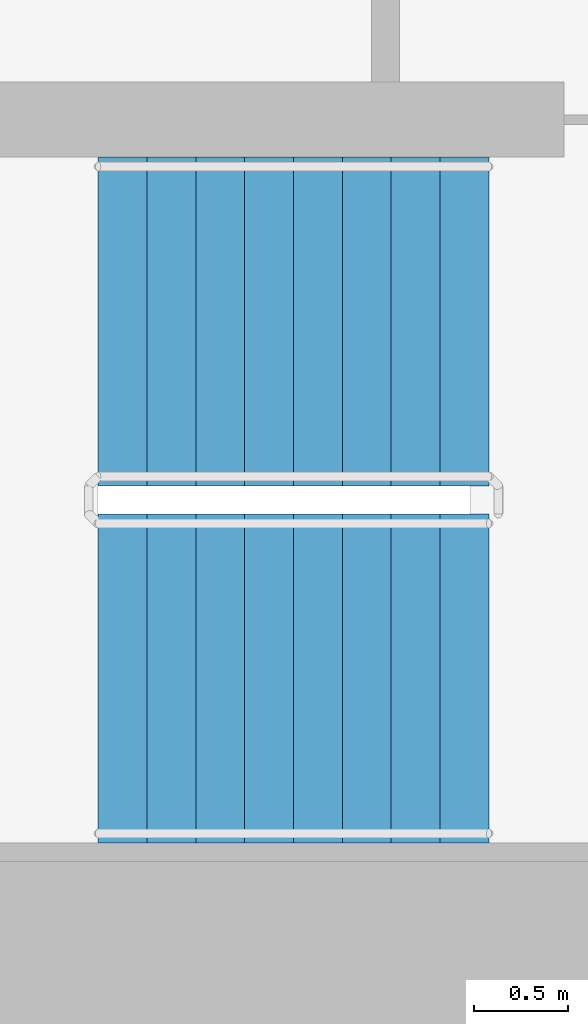
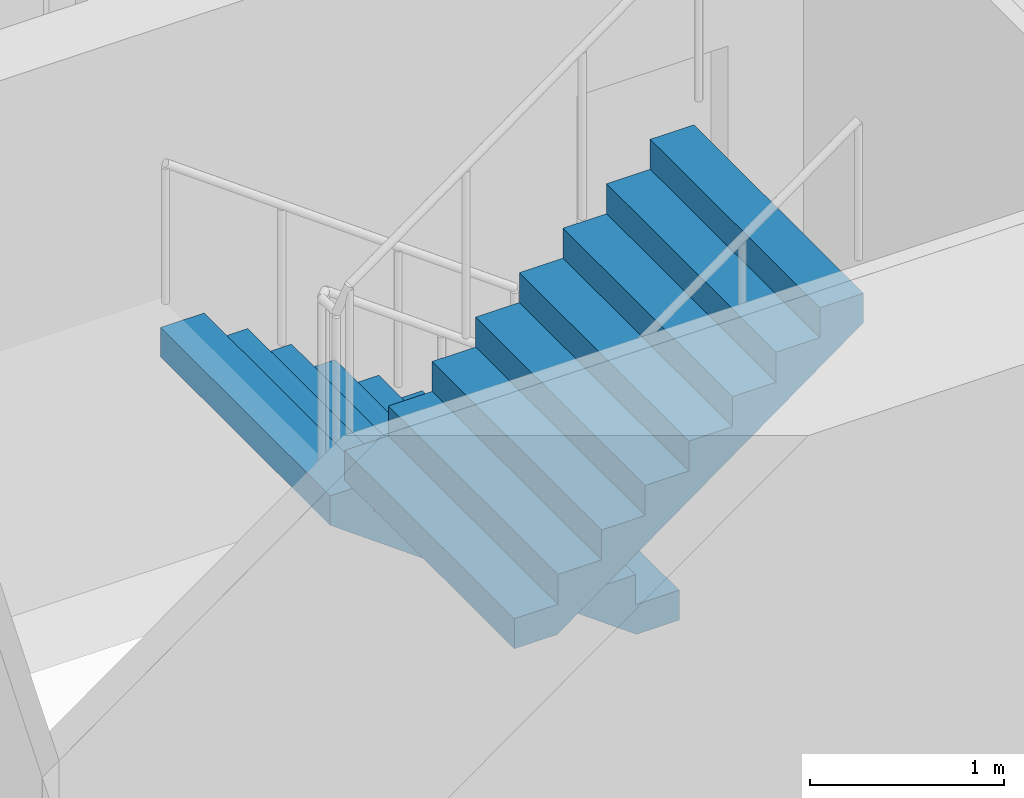
# One storey, part 17 of 22: 2 stair flights, 1 element without a shape of its own.
"""IFC4 building model written with IfcOpenShell, lengths in metres."""

from ifc_helpers import new_model, si_unit, direction, frame, origin, place, context, subcontext, project, spatial, faceted_brep, material, type_object, element, aggregate, save


model = new_model("IFC4")

# Units and contexts
model_context = context("Model", 3, precision=1e-05, world=origin(), true_north=direction((0.0, 1.0)))
body_context = subcontext(model_context, "Body", "Model", "MODEL_VIEW")
ifc_project = project(units=[si_unit("LENGTHUNIT", "METRE"), si_unit("AREAUNIT", "SQUARE_METRE"), si_unit("VOLUMEUNIT", "CUBIC_METRE"), si_unit("PLANEANGLEUNIT", "RADIAN"), si_unit("MASSUNIT", "GRAM", prefix="KILO")], contexts=[model_context])

# Site, building, storey
site_placement = place(None, origin())
site = spatial("IfcSite", under=ifc_project, at=site_placement, CompositionType="ELEMENT")
building_placement = place(site_placement, origin())
building = spatial("IfcBuilding", under=site, at=building_placement, Name="Ipe Terrace Towers", CompositionType="ELEMENT")
storey_placement = place(building_placement, frame((0.0, 0.0, 61.89990234375)))
storey = spatial("IfcBuildingStorey", under=building, at=storey_placement, Name="L16", CompositionType="ELEMENT", Elevation=61.89990234375)

# Stair, stair flights
ifc_material_1 = material(Name="Concrete C30/37", Category="concrete")
stair_type = type_object("IfcStairType", Name="Protected exit stair", PredefinedType="HALF_TURN_STAIR", material=ifc_material_1)
stair_placement = place(storey_placement, origin())
stair = element("IfcStair", 1, at=stair_placement, inside=storey, type_object=stair_type, Name="L16 Exit stair T1-C2", PredefinedType="HALF_TURN_STAIR")
ifc_material_2 = material(Name="Concrete C30/37", Category="concrete")
stair_flight_type = type_object("IfcStairFlightType", Name="Exit stair flight 1750", PredefinedType="STRAIGHT", material=ifc_material_2)
stair_flight_1_placement = place(storey_placement, frame((-45.699951171875, -2.77490234375, 0.0), z_axis=(0.0, 0.0, 1.0), x_axis=(-1.0, 0.0, 0.0)))
stair_flight_1 = element("IfcStairFlight", 2, at=stair_flight_1_placement, type_object=stair_flight_type, Name="T1-ST2 flight 1", NumberOfRisers=9, NumberOfTreads=8, PredefinedType="STRAIGHT", RiserHeight=0.188888889, TreadLength=0.26, context=body_context, shape_type="Brep", body=[
    faceted_brep([(0.255126953125, -0.875, 0.0), (2.080078125, -0.875, 1.325927734375), (2.080078125, -0.875, 1.51123046875), (1.820068359375, -0.875, 1.51123046875), (1.820068359375, -0.875, 1.322265625), (1.56005859375, -0.875, 1.322265625), (1.56005859375, -0.875, 1.13330078125), (1.300048828125, -0.875, 1.13330078125), (1.300048828125, -0.875, 0.9443359375), (1.0400390625, -0.875, 0.9443359375), (1.0400390625, -0.875, 0.755615234375), (0.780029296875, -0.875, 0.755615234375), (0.780029296875, -0.875, 0.566650390625), (0.52001953125, -0.875, 0.566650390625), (0.52001953125, -0.875, 0.377685546875), (0.260009765625, -0.875, 0.377685546875), (0.260009765625, -0.875, 0.18896484375), (0.0, -0.875, 0.18896484375), (0.0, -0.875, 0.0), (0.0, 0.875, 0.0), (0.0, 0.875, 0.18896484375), (0.260009765625, 0.875, 0.18896484375), (0.260009765625, 0.875, 0.377685546875), (0.52001953125, 0.875, 0.377685546875), (0.52001953125, 0.875, 0.566650390625), (0.780029296875, 0.875, 0.566650390625), (0.780029296875, 0.875, 0.755615234375), (1.0400390625, 0.875, 0.755615234375), (1.0400390625, 0.875, 0.9443359375), (1.300048828125, 0.875, 0.9443359375), (1.300048828125, 0.875, 1.13330078125), (1.56005859375, 0.875, 1.13330078125), (1.56005859375, 0.875, 1.322265625), (1.820068359375, 0.875, 1.322265625), (1.820068359375, 0.875, 1.51123046875), (2.080078125, 0.875, 1.51123046875), (2.080078125, 0.875, 1.325927734375), (0.255126953125, 0.875, 0.0), (0.0, -0.300048828125, 0.18896484375), (0.0, -0.1201171875, 0.18896484375), (0.0, -0.06005859375, 0.18896484375), (0.0, -0.030029296875, 0.18896484375), (0.0, -0.010009765625, 0.18896484375), (0.0, 0.0, 0.18896484375), (0.0, 0.010009765625, 0.18896484375), (0.0, 0.030029296875, 0.18896484375), (0.0, 0.06005859375, 0.18896484375), (0.0, 0.1201171875, 0.18896484375), (0.0, 0.300048828125, 0.18896484375), (0.0, 0.300048828125, 0.0), (0.0, 0.1201171875, 0.0), (0.0, 0.06005859375, 0.0), (0.0, 0.030029296875, 0.0), (0.0, 0.010009765625, 0.0), (0.0, 0.0, 0.0), (0.0, -0.010009765625, 0.0), (0.0, -0.030029296875, 0.0), (0.0, -0.06005859375, 0.0), (0.0, -0.1201171875, 0.0), (0.0, -0.300048828125, 0.0), (0.260009765625, -0.300048828125, 0.18896484375), (0.260009765625, -0.1201171875, 0.18896484375), (0.260009765625, -0.06005859375, 0.18896484375), (0.260009765625, -0.030029296875, 0.18896484375), (0.260009765625, -0.010009765625, 0.18896484375), (0.260009765625, 0.0, 0.18896484375), (0.260009765625, 0.010009765625, 0.18896484375), (0.260009765625, 0.030029296875, 0.18896484375), (0.260009765625, 0.06005859375, 0.18896484375), (0.260009765625, 0.1201171875, 0.18896484375), (0.260009765625, 0.300048828125, 0.18896484375), (0.260009765625, -0.300048828125, 0.377685546875), (0.260009765625, -0.1201171875, 0.377685546875), (0.260009765625, -0.06005859375, 0.377685546875), (0.260009765625, -0.030029296875, 0.377685546875), (0.260009765625, -0.010009765625, 0.377685546875), (0.260009765625, 0.0, 0.377685546875), (0.260009765625, 0.010009765625, 0.377685546875), (0.260009765625, 0.030029296875, 0.377685546875), (0.260009765625, 0.06005859375, 0.377685546875), (0.260009765625, 0.1201171875, 0.377685546875), (0.260009765625, 0.300048828125, 0.377685546875), (0.52001953125, -0.300048828125, 0.377685546875), (0.52001953125, -0.1201171875, 0.377685546875), (0.52001953125, -0.06005859375, 0.377685546875), (0.52001953125, -0.030029296875, 0.377685546875), (0.52001953125, -0.010009765625, 0.377685546875), (0.52001953125, 0.0, 0.377685546875), (0.52001953125, 0.010009765625, 0.377685546875), (0.52001953125, 0.030029296875, 0.377685546875), (0.52001953125, 0.06005859375, 0.377685546875), (0.52001953125, 0.1201171875, 0.377685546875), (0.52001953125, 0.300048828125, 0.377685546875), (0.52001953125, -0.300048828125, 0.566650390625), (0.52001953125, -0.1201171875, 0.566650390625), (0.52001953125, -0.06005859375, 0.566650390625), (0.52001953125, -0.030029296875, 0.566650390625), (0.52001953125, -0.010009765625, 0.566650390625), (0.52001953125, 0.0, 0.566650390625), (0.52001953125, 0.010009765625, 0.566650390625), (0.52001953125, 0.030029296875, 0.566650390625), (0.52001953125, 0.06005859375, 0.566650390625), (0.52001953125, 0.1201171875, 0.566650390625), (0.52001953125, 0.300048828125, 0.566650390625), (0.780029296875, -0.300048828125, 0.566650390625), (0.780029296875, -0.1201171875, 0.566650390625), (0.780029296875, -0.06005859375, 0.566650390625), (0.780029296875, -0.030029296875, 0.566650390625), (0.780029296875, -0.010009765625, 0.566650390625), (0.780029296875, 0.0, 0.566650390625), (0.780029296875, 0.010009765625, 0.566650390625), (0.780029296875, 0.030029296875, 0.566650390625), (0.780029296875, 0.06005859375, 0.566650390625), (0.780029296875, 0.1201171875, 0.566650390625), (0.780029296875, 0.300048828125, 0.566650390625), (0.780029296875, -0.300048828125, 0.755615234375), (0.780029296875, -0.1201171875, 0.755615234375), (0.780029296875, -0.06005859375, 0.755615234375), (0.780029296875, -0.030029296875, 0.755615234375), (0.780029296875, -0.010009765625, 0.755615234375), (0.780029296875, 0.0, 0.755615234375), (0.780029296875, 0.010009765625, 0.755615234375), (0.780029296875, 0.030029296875, 0.755615234375), (0.780029296875, 0.06005859375, 0.755615234375), (0.780029296875, 0.1201171875, 0.755615234375), (0.780029296875, 0.300048828125, 0.755615234375), (1.0400390625, -0.300048828125, 0.755615234375), (1.0400390625, -0.1201171875, 0.755615234375), (1.0400390625, -0.06005859375, 0.755615234375), (1.0400390625, -0.030029296875, 0.755615234375), (1.0400390625, -0.010009765625, 0.755615234375), (1.0400390625, 0.0, 0.755615234375), (1.0400390625, 0.010009765625, 0.755615234375), (1.0400390625, 0.030029296875, 0.755615234375), (1.0400390625, 0.06005859375, 0.755615234375), (1.0400390625, 0.1201171875, 0.755615234375), (1.0400390625, 0.300048828125, 0.755615234375), (1.0400390625, -0.300048828125, 0.9443359375), (1.0400390625, -0.1201171875, 0.9443359375), (1.0400390625, -0.06005859375, 0.9443359375), (1.0400390625, -0.030029296875, 0.9443359375), (1.0400390625, -0.010009765625, 0.9443359375), (1.0400390625, 0.0, 0.9443359375), (1.0400390625, 0.010009765625, 0.9443359375), (1.0400390625, 0.030029296875, 0.9443359375), (1.0400390625, 0.06005859375, 0.9443359375), (1.0400390625, 0.1201171875, 0.9443359375), (1.0400390625, 0.300048828125, 0.9443359375), (1.300048828125, -0.300048828125, 0.9443359375), (1.300048828125, -0.1201171875, 0.9443359375), (1.300048828125, -0.06005859375, 0.9443359375), (1.300048828125, -0.030029296875, 0.9443359375), (1.300048828125, -0.010009765625, 0.9443359375), (1.300048828125, 0.0, 0.9443359375), (1.300048828125, 0.010009765625, 0.9443359375), (1.300048828125, 0.030029296875, 0.9443359375), (1.300048828125, 0.06005859375, 0.9443359375), (1.300048828125, 0.1201171875, 0.9443359375), (1.300048828125, 0.300048828125, 0.9443359375), (1.300048828125, -0.300048828125, 1.13330078125), (1.300048828125, -0.1201171875, 1.13330078125), (1.300048828125, -0.06005859375, 1.13330078125), (1.300048828125, -0.030029296875, 1.13330078125), (1.300048828125, -0.010009765625, 1.13330078125), (1.300048828125, 0.0, 1.13330078125), (1.300048828125, 0.010009765625, 1.13330078125), (1.300048828125, 0.030029296875, 1.13330078125), (1.300048828125, 0.06005859375, 1.13330078125), (1.300048828125, 0.1201171875, 1.13330078125), (1.300048828125, 0.300048828125, 1.13330078125), (1.56005859375, -0.300048828125, 1.13330078125), (1.56005859375, -0.1201171875, 1.13330078125), (1.56005859375, -0.06005859375, 1.13330078125), (1.56005859375, -0.030029296875, 1.13330078125), (1.56005859375, -0.010009765625, 1.13330078125), (1.56005859375, 0.0, 1.13330078125), (1.56005859375, 0.010009765625, 1.13330078125), (1.56005859375, 0.030029296875, 1.13330078125), (1.56005859375, 0.06005859375, 1.13330078125), (1.56005859375, 0.1201171875, 1.13330078125), (1.56005859375, 0.300048828125, 1.13330078125), (1.56005859375, -0.300048828125, 1.322265625), (1.56005859375, -0.1201171875, 1.322265625), (1.56005859375, -0.06005859375, 1.322265625), (1.56005859375, -0.030029296875, 1.322265625), (1.56005859375, -0.010009765625, 1.322265625), (1.56005859375, 0.0, 1.322265625), (1.56005859375, 0.010009765625, 1.322265625), (1.56005859375, 0.030029296875, 1.322265625), (1.56005859375, 0.06005859375, 1.322265625), (1.56005859375, 0.1201171875, 1.322265625), (1.56005859375, 0.300048828125, 1.322265625), (1.820068359375, -0.300048828125, 1.322265625), (1.820068359375, -0.1201171875, 1.322265625), (1.820068359375, -0.06005859375, 1.322265625), (1.820068359375, -0.030029296875, 1.322265625), (1.820068359375, -0.010009765625, 1.322265625), (1.820068359375, 0.0, 1.322265625), (1.820068359375, 0.010009765625, 1.322265625), (1.820068359375, 0.030029296875, 1.322265625), (1.820068359375, 0.06005859375, 1.322265625), (1.820068359375, 0.1201171875, 1.322265625), (1.820068359375, 0.300048828125, 1.322265625), (1.820068359375, -0.300048828125, 1.51123046875), (1.820068359375, -0.1201171875, 1.51123046875), (1.820068359375, -0.06005859375, 1.51123046875), (1.820068359375, -0.030029296875, 1.51123046875), (1.820068359375, -0.010009765625, 1.51123046875), (1.820068359375, 0.0, 1.51123046875), (1.820068359375, 0.010009765625, 1.51123046875), (1.820068359375, 0.030029296875, 1.51123046875), (1.820068359375, 0.06005859375, 1.51123046875), (1.820068359375, 0.1201171875, 1.51123046875), (1.820068359375, 0.300048828125, 1.51123046875), (2.080078125, -0.300048828125, 1.51123046875), (2.080078125, -0.1201171875, 1.51123046875), (2.080078125, -0.06005859375, 1.51123046875), (2.080078125, -0.030029296875, 1.51123046875), (2.080078125, -0.010009765625, 1.51123046875), (2.080078125, 0.0, 1.51123046875), (2.080078125, 0.010009765625, 1.51123046875), (2.080078125, 0.030029296875, 1.51123046875), (2.080078125, 0.06005859375, 1.51123046875), (2.080078125, 0.1201171875, 1.51123046875), (2.080078125, 0.300048828125, 1.51123046875), (2.080078125, -0.300048828125, 1.325927734375), (2.080078125, -0.1201171875, 1.325927734375), (2.080078125, -0.06005859375, 1.325927734375), (2.080078125, -0.030029296875, 1.325927734375), (2.080078125, -0.010009765625, 1.325927734375), (2.080078125, 0.0, 1.325927734375), (2.080078125, 0.010009765625, 1.325927734375), (2.080078125, 0.030029296875, 1.325927734375), (2.080078125, 0.06005859375, 1.325927734375), (2.080078125, 0.1201171875, 1.325927734375), (2.080078125, 0.300048828125, 1.325927734375), (0.255126953125, -0.300048828125, 0.0), (0.255126953125, -0.1201171875, 0.0), (0.255126953125, -0.06005859375, 0.0), (0.255126953125, -0.030029296875, 0.0), (0.255126953125, -0.010009765625, 0.0), (0.255126953125, 0.0, 0.0), (0.255126953125, 0.010009765625, 0.0), (0.255126953125, 0.030029296875, 0.0), (0.255126953125, 0.06005859375, 0.0), (0.255126953125, 0.1201171875, 0.0), (0.255126953125, 0.300048828125, 0.0)], [[[0, 1, 2, 3, 4, 5, 6, 7, 8, 9, 10, 11, 12, 13, 14, 15, 16, 17, 18]], [[19, 20, 21, 22, 23, 24, 25, 26, 27, 28, 29, 30, 31, 32, 33, 34, 35, 36, 37]], [[17, 38, 39, 40, 41, 42, 43, 44, 45, 46, 47, 48, 20, 19, 49, 50, 51, 52, 53, 54, 55, 56, 57, 58, 59, 18]], [[16, 60, 61, 62, 63, 64, 65, 66, 67, 68, 69, 70, 21, 20, 48, 47, 46, 45, 44, 43, 42, 41, 40, 39, 38, 17]], [[15, 71, 72, 73, 74, 75, 76, 77, 78, 79, 80, 81, 22, 21, 70, 69, 68, 67, 66, 65, 64, 63, 62, 61, 60, 16]], [[14, 82, 83, 84, 85, 86, 87, 88, 89, 90, 91, 92, 23, 22, 81, 80, 79, 78, 77, 76, 75, 74, 73, 72, 71, 15]], [[13, 93, 94, 95, 96, 97, 98, 99, 100, 101, 102, 103, 24, 23, 92, 91, 90, 89, 88, 87, 86, 85, 84, 83, 82, 14]], [[12, 104, 105, 106, 107, 108, 109, 110, 111, 112, 113, 114, 25, 24, 103, 102, 101, 100, 99, 98, 97, 96, 95, 94, 93, 13]], [[11, 115, 116, 117, 118, 119, 120, 121, 122, 123, 124, 125, 26, 25, 114, 113, 112, 111, 110, 109, 108, 107, 106, 105, 104, 12]], [[10, 126, 127, 128, 129, 130, 131, 132, 133, 134, 135, 136, 27, 26, 125, 124, 123, 122, 121, 120, 119, 118, 117, 116, 115, 11]], [[9, 137, 138, 139, 140, 141, 142, 143, 144, 145, 146, 147, 28, 27, 136, 135, 134, 133, 132, 131, 130, 129, 128, 127, 126, 10]], [[8, 148, 149, 150, 151, 152, 153, 154, 155, 156, 157, 158, 29, 28, 147, 146, 145, 144, 143, 142, 141, 140, 139, 138, 137, 9]], [[7, 159, 160, 161, 162, 163, 164, 165, 166, 167, 168, 169, 30, 29, 158, 157, 156, 155, 154, 153, 152, 151, 150, 149, 148, 8]], [[6, 170, 171, 172, 173, 174, 175, 176, 177, 178, 179, 180, 31, 30, 169, 168, 167, 166, 165, 164, 163, 162, 161, 160, 159, 7]], [[5, 181, 182, 183, 184, 185, 186, 187, 188, 189, 190, 191, 32, 31, 180, 179, 178, 177, 176, 175, 174, 173, 172, 171, 170, 6]], [[4, 192, 193, 194, 195, 196, 197, 198, 199, 200, 201, 202, 33, 32, 191, 190, 189, 188, 187, 186, 185, 184, 183, 182, 181, 5]], [[3, 203, 204, 205, 206, 207, 208, 209, 210, 211, 212, 213, 34, 33, 202, 201, 200, 199, 198, 197, 196, 195, 194, 193, 192, 4]], [[2, 214, 215, 216, 217, 218, 219, 220, 221, 222, 223, 224, 35, 34, 213, 212, 211, 210, 209, 208, 207, 206, 205, 204, 203, 3]], [[1, 225, 226, 227, 228, 229, 230, 231, 232, 233, 234, 235, 36, 35, 224, 223, 222, 221, 220, 219, 218, 217, 216, 215, 214, 2]], [[0, 236, 237, 238, 239, 240, 241, 242, 243, 244, 245, 246, 37, 36, 235, 234, 233, 232, 231, 230, 229, 228, 227, 226, 225, 1]], [[18, 59, 58, 57, 56, 55, 54, 53, 52, 51, 50, 49, 19, 37, 246, 245, 244, 243, 242, 241, 240, 239, 238, 237, 236, 0]]]),
])
stair_flight_2_placement = place(storey_placement, frame((-47.780029296875, -4.675048828125, 1.7001953125), z_axis=(0.0, 0.0, 1.0), x_axis=(1.0, 0.0, 0.0)))
stair_flight_2 = element("IfcStairFlight", 3, at=stair_flight_2_placement, type_object=stair_flight_type, Name="T1-ST2 flight 2", NumberOfRisers=9, NumberOfTreads=8, PredefinedType="STRAIGHT", RiserHeight=0.188888889, TreadLength=0.26, context=body_context, shape_type="Brep", body=[
    faceted_brep([(0.255126953125, -0.875, 0.0), (2.080078125, -0.875, 1.325927734375), (2.080078125, -0.875, 1.51123046875), (1.820068359375, -0.875, 1.51123046875), (1.820068359375, -0.875, 1.322265625), (1.56005859375, -0.875, 1.322265625), (1.56005859375, -0.875, 1.13330078125), (1.300048828125, -0.875, 1.13330078125), (1.300048828125, -0.875, 0.9443359375), (1.0400390625, -0.875, 0.9443359375), (1.0400390625, -0.875, 0.755615234375), (0.780029296875, -0.875, 0.755615234375), (0.780029296875, -0.875, 0.566650390625), (0.52001953125, -0.875, 0.566650390625), (0.52001953125, -0.875, 0.377685546875), (0.260009765625, -0.875, 0.377685546875), (0.260009765625, -0.875, 0.18896484375), (0.0, -0.875, 0.18896484375), (0.0, -0.875, 0.0), (0.0, 0.875, 0.0), (0.0, 0.875, 0.18896484375), (0.260009765625, 0.875, 0.18896484375), (0.260009765625, 0.875, 0.377685546875), (0.52001953125, 0.875, 0.377685546875), (0.52001953125, 0.875, 0.566650390625), (0.780029296875, 0.875, 0.566650390625), (0.780029296875, 0.875, 0.755615234375), (1.0400390625, 0.875, 0.755615234375), (1.0400390625, 0.875, 0.9443359375), (1.300048828125, 0.875, 0.9443359375), (1.300048828125, 0.875, 1.13330078125), (1.56005859375, 0.875, 1.13330078125), (1.56005859375, 0.875, 1.322265625), (1.820068359375, 0.875, 1.322265625), (1.820068359375, 0.875, 1.51123046875), (2.080078125, 0.875, 1.51123046875), (2.080078125, 0.875, 1.325927734375), (0.255126953125, 0.875, 0.0), (0.0, -0.300048828125, 0.18896484375), (0.0, -0.1201171875, 0.18896484375), (0.0, -0.06005859375, 0.18896484375), (0.0, -0.030029296875, 0.18896484375), (0.0, -0.010009765625, 0.18896484375), (0.0, 0.0, 0.18896484375), (0.0, 0.010009765625, 0.18896484375), (0.0, 0.030029296875, 0.18896484375), (0.0, 0.06005859375, 0.18896484375), (0.0, 0.1201171875, 0.18896484375), (0.0, 0.300048828125, 0.18896484375), (0.0, 0.300048828125, 0.0), (0.0, 0.1201171875, 0.0), (0.0, 0.06005859375, 0.0), (0.0, 0.030029296875, 0.0), (0.0, 0.010009765625, 0.0), (0.0, 0.0, 0.0), (0.0, -0.010009765625, 0.0), (0.0, -0.030029296875, 0.0), (0.0, -0.06005859375, 0.0), (0.0, -0.1201171875, 0.0), (0.0, -0.300048828125, 0.0), (0.260009765625, -0.300048828125, 0.18896484375), (0.260009765625, -0.1201171875, 0.18896484375), (0.260009765625, -0.06005859375, 0.18896484375), (0.260009765625, -0.030029296875, 0.18896484375), (0.260009765625, -0.010009765625, 0.18896484375), (0.260009765625, 0.0, 0.18896484375), (0.260009765625, 0.010009765625, 0.18896484375), (0.260009765625, 0.030029296875, 0.18896484375), (0.260009765625, 0.06005859375, 0.18896484375), (0.260009765625, 0.1201171875, 0.18896484375), (0.260009765625, 0.300048828125, 0.18896484375), (0.260009765625, -0.300048828125, 0.377685546875), (0.260009765625, -0.1201171875, 0.377685546875), (0.260009765625, -0.06005859375, 0.377685546875), (0.260009765625, -0.030029296875, 0.377685546875), (0.260009765625, -0.010009765625, 0.377685546875), (0.260009765625, 0.0, 0.377685546875), (0.260009765625, 0.010009765625, 0.377685546875), (0.260009765625, 0.030029296875, 0.377685546875), (0.260009765625, 0.06005859375, 0.377685546875), (0.260009765625, 0.1201171875, 0.377685546875), (0.260009765625, 0.300048828125, 0.377685546875), (0.52001953125, -0.300048828125, 0.377685546875), (0.52001953125, -0.1201171875, 0.377685546875), (0.52001953125, -0.06005859375, 0.377685546875), (0.52001953125, -0.030029296875, 0.377685546875), (0.52001953125, -0.010009765625, 0.377685546875), (0.52001953125, 0.0, 0.377685546875), (0.52001953125, 0.010009765625, 0.377685546875), (0.52001953125, 0.030029296875, 0.377685546875), (0.52001953125, 0.06005859375, 0.377685546875), (0.52001953125, 0.1201171875, 0.377685546875), (0.52001953125, 0.300048828125, 0.377685546875), (0.52001953125, -0.300048828125, 0.566650390625), (0.52001953125, -0.1201171875, 0.566650390625), (0.52001953125, -0.06005859375, 0.566650390625), (0.52001953125, -0.030029296875, 0.566650390625), (0.52001953125, -0.010009765625, 0.566650390625), (0.52001953125, 0.0, 0.566650390625), (0.52001953125, 0.010009765625, 0.566650390625), (0.52001953125, 0.030029296875, 0.566650390625), (0.52001953125, 0.06005859375, 0.566650390625), (0.52001953125, 0.1201171875, 0.566650390625), (0.52001953125, 0.300048828125, 0.566650390625), (0.780029296875, -0.300048828125, 0.566650390625), (0.780029296875, -0.1201171875, 0.566650390625), (0.780029296875, -0.06005859375, 0.566650390625), (0.780029296875, -0.030029296875, 0.566650390625), (0.780029296875, -0.010009765625, 0.566650390625), (0.780029296875, 0.0, 0.566650390625), (0.780029296875, 0.010009765625, 0.566650390625), (0.780029296875, 0.030029296875, 0.566650390625), (0.780029296875, 0.06005859375, 0.566650390625), (0.780029296875, 0.1201171875, 0.566650390625), (0.780029296875, 0.300048828125, 0.566650390625), (0.780029296875, -0.300048828125, 0.755615234375), (0.780029296875, -0.1201171875, 0.755615234375), (0.780029296875, -0.06005859375, 0.755615234375), (0.780029296875, -0.030029296875, 0.755615234375), (0.780029296875, -0.010009765625, 0.755615234375), (0.780029296875, 0.0, 0.755615234375), (0.780029296875, 0.010009765625, 0.755615234375), (0.780029296875, 0.030029296875, 0.755615234375), (0.780029296875, 0.06005859375, 0.755615234375), (0.780029296875, 0.1201171875, 0.755615234375), (0.780029296875, 0.300048828125, 0.755615234375), (1.0400390625, -0.300048828125, 0.755615234375), (1.0400390625, -0.1201171875, 0.755615234375), (1.0400390625, -0.06005859375, 0.755615234375), (1.0400390625, -0.030029296875, 0.755615234375), (1.0400390625, -0.010009765625, 0.755615234375), (1.0400390625, 0.0, 0.755615234375), (1.0400390625, 0.010009765625, 0.755615234375), (1.0400390625, 0.030029296875, 0.755615234375), (1.0400390625, 0.06005859375, 0.755615234375), (1.0400390625, 0.1201171875, 0.755615234375), (1.0400390625, 0.300048828125, 0.755615234375), (1.0400390625, -0.300048828125, 0.9443359375), (1.0400390625, -0.1201171875, 0.9443359375), (1.0400390625, -0.06005859375, 0.9443359375), (1.0400390625, -0.030029296875, 0.9443359375), (1.0400390625, -0.010009765625, 0.9443359375), (1.0400390625, 0.0, 0.9443359375), (1.0400390625, 0.010009765625, 0.9443359375), (1.0400390625, 0.030029296875, 0.9443359375), (1.0400390625, 0.06005859375, 0.9443359375), (1.0400390625, 0.1201171875, 0.9443359375), (1.0400390625, 0.300048828125, 0.9443359375), (1.300048828125, -0.300048828125, 0.9443359375), (1.300048828125, -0.1201171875, 0.9443359375), (1.300048828125, -0.06005859375, 0.9443359375), (1.300048828125, -0.030029296875, 0.9443359375), (1.300048828125, -0.010009765625, 0.9443359375), (1.300048828125, 0.0, 0.9443359375), (1.300048828125, 0.010009765625, 0.9443359375), (1.300048828125, 0.030029296875, 0.9443359375), (1.300048828125, 0.06005859375, 0.9443359375), (1.300048828125, 0.1201171875, 0.9443359375), (1.300048828125, 0.300048828125, 0.9443359375), (1.300048828125, -0.300048828125, 1.13330078125), (1.300048828125, -0.1201171875, 1.13330078125), (1.300048828125, -0.06005859375, 1.13330078125), (1.300048828125, -0.030029296875, 1.13330078125), (1.300048828125, -0.010009765625, 1.13330078125), (1.300048828125, 0.0, 1.13330078125), (1.300048828125, 0.010009765625, 1.13330078125), (1.300048828125, 0.030029296875, 1.13330078125), (1.300048828125, 0.06005859375, 1.13330078125), (1.300048828125, 0.1201171875, 1.13330078125), (1.300048828125, 0.300048828125, 1.13330078125), (1.56005859375, -0.300048828125, 1.13330078125), (1.56005859375, -0.1201171875, 1.13330078125), (1.56005859375, -0.06005859375, 1.13330078125), (1.56005859375, -0.030029296875, 1.13330078125), (1.56005859375, -0.010009765625, 1.13330078125), (1.56005859375, 0.0, 1.13330078125), (1.56005859375, 0.010009765625, 1.13330078125), (1.56005859375, 0.030029296875, 1.13330078125), (1.56005859375, 0.06005859375, 1.13330078125), (1.56005859375, 0.1201171875, 1.13330078125), (1.56005859375, 0.300048828125, 1.13330078125), (1.56005859375, -0.300048828125, 1.322265625), (1.56005859375, -0.1201171875, 1.322265625), (1.56005859375, -0.06005859375, 1.322265625), (1.56005859375, -0.030029296875, 1.322265625), (1.56005859375, -0.010009765625, 1.322265625), (1.56005859375, 0.0, 1.322265625), (1.56005859375, 0.010009765625, 1.322265625), (1.56005859375, 0.030029296875, 1.322265625), (1.56005859375, 0.06005859375, 1.322265625), (1.56005859375, 0.1201171875, 1.322265625), (1.56005859375, 0.300048828125, 1.322265625), (1.820068359375, -0.300048828125, 1.322265625), (1.820068359375, -0.1201171875, 1.322265625), (1.820068359375, -0.06005859375, 1.322265625), (1.820068359375, -0.030029296875, 1.322265625), (1.820068359375, -0.010009765625, 1.322265625), (1.820068359375, 0.0, 1.322265625), (1.820068359375, 0.010009765625, 1.322265625), (1.820068359375, 0.030029296875, 1.322265625), (1.820068359375, 0.06005859375, 1.322265625), (1.820068359375, 0.1201171875, 1.322265625), (1.820068359375, 0.300048828125, 1.322265625), (1.820068359375, -0.300048828125, 1.51123046875), (1.820068359375, -0.1201171875, 1.51123046875), (1.820068359375, -0.06005859375, 1.51123046875), (1.820068359375, -0.030029296875, 1.51123046875), (1.820068359375, -0.010009765625, 1.51123046875), (1.820068359375, 0.0, 1.51123046875), (1.820068359375, 0.010009765625, 1.51123046875), (1.820068359375, 0.030029296875, 1.51123046875), (1.820068359375, 0.06005859375, 1.51123046875), (1.820068359375, 0.1201171875, 1.51123046875), (1.820068359375, 0.300048828125, 1.51123046875), (2.080078125, -0.300048828125, 1.51123046875), (2.080078125, -0.1201171875, 1.51123046875), (2.080078125, -0.06005859375, 1.51123046875), (2.080078125, -0.030029296875, 1.51123046875), (2.080078125, -0.010009765625, 1.51123046875), (2.080078125, 0.0, 1.51123046875), (2.080078125, 0.010009765625, 1.51123046875), (2.080078125, 0.030029296875, 1.51123046875), (2.080078125, 0.06005859375, 1.51123046875), (2.080078125, 0.1201171875, 1.51123046875), (2.080078125, 0.300048828125, 1.51123046875), (2.080078125, -0.300048828125, 1.325927734375), (2.080078125, -0.1201171875, 1.325927734375), (2.080078125, -0.06005859375, 1.325927734375), (2.080078125, -0.030029296875, 1.325927734375), (2.080078125, -0.010009765625, 1.325927734375), (2.080078125, 0.0, 1.325927734375), (2.080078125, 0.010009765625, 1.325927734375), (2.080078125, 0.030029296875, 1.325927734375), (2.080078125, 0.06005859375, 1.325927734375), (2.080078125, 0.1201171875, 1.325927734375), (2.080078125, 0.300048828125, 1.325927734375), (0.255126953125, -0.300048828125, 0.0), (0.255126953125, -0.1201171875, 0.0), (0.255126953125, -0.06005859375, 0.0), (0.255126953125, -0.030029296875, 0.0), (0.255126953125, -0.010009765625, 0.0), (0.255126953125, 0.0, 0.0), (0.255126953125, 0.010009765625, 0.0), (0.255126953125, 0.030029296875, 0.0), (0.255126953125, 0.06005859375, 0.0), (0.255126953125, 0.1201171875, 0.0), (0.255126953125, 0.300048828125, 0.0)], [[[0, 1, 2, 3, 4, 5, 6, 7, 8, 9, 10, 11, 12, 13, 14, 15, 16, 17, 18]], [[19, 20, 21, 22, 23, 24, 25, 26, 27, 28, 29, 30, 31, 32, 33, 34, 35, 36, 37]], [[17, 38, 39, 40, 41, 42, 43, 44, 45, 46, 47, 48, 20, 19, 49, 50, 51, 52, 53, 54, 55, 56, 57, 58, 59, 18]], [[16, 60, 61, 62, 63, 64, 65, 66, 67, 68, 69, 70, 21, 20, 48, 47, 46, 45, 44, 43, 42, 41, 40, 39, 38, 17]], [[15, 71, 72, 73, 74, 75, 76, 77, 78, 79, 80, 81, 22, 21, 70, 69, 68, 67, 66, 65, 64, 63, 62, 61, 60, 16]], [[14, 82, 83, 84, 85, 86, 87, 88, 89, 90, 91, 92, 23, 22, 81, 80, 79, 78, 77, 76, 75, 74, 73, 72, 71, 15]], [[13, 93, 94, 95, 96, 97, 98, 99, 100, 101, 102, 103, 24, 23, 92, 91, 90, 89, 88, 87, 86, 85, 84, 83, 82, 14]], [[12, 104, 105, 106, 107, 108, 109, 110, 111, 112, 113, 114, 25, 24, 103, 102, 101, 100, 99, 98, 97, 96, 95, 94, 93, 13]], [[11, 115, 116, 117, 118, 119, 120, 121, 122, 123, 124, 125, 26, 25, 114, 113, 112, 111, 110, 109, 108, 107, 106, 105, 104, 12]], [[10, 126, 127, 128, 129, 130, 131, 132, 133, 134, 135, 136, 27, 26, 125, 124, 123, 122, 121, 120, 119, 118, 117, 116, 115, 11]], [[9, 137, 138, 139, 140, 141, 142, 143, 144, 145, 146, 147, 28, 27, 136, 135, 134, 133, 132, 131, 130, 129, 128, 127, 126, 10]], [[8, 148, 149, 150, 151, 152, 153, 154, 155, 156, 157, 158, 29, 28, 147, 146, 145, 144, 143, 142, 141, 140, 139, 138, 137, 9]], [[7, 159, 160, 161, 162, 163, 164, 165, 166, 167, 168, 169, 30, 29, 158, 157, 156, 155, 154, 153, 152, 151, 150, 149, 148, 8]], [[6, 170, 171, 172, 173, 174, 175, 176, 177, 178, 179, 180, 31, 30, 169, 168, 167, 166, 165, 164, 163, 162, 161, 160, 159, 7]], [[5, 181, 182, 183, 184, 185, 186, 187, 188, 189, 190, 191, 32, 31, 180, 179, 178, 177, 176, 175, 174, 173, 172, 171, 170, 6]], [[4, 192, 193, 194, 195, 196, 197, 198, 199, 200, 201, 202, 33, 32, 191, 190, 189, 188, 187, 186, 185, 184, 183, 182, 181, 5]], [[3, 203, 204, 205, 206, 207, 208, 209, 210, 211, 212, 213, 34, 33, 202, 201, 200, 199, 198, 197, 196, 195, 194, 193, 192, 4]], [[2, 214, 215, 216, 217, 218, 219, 220, 221, 222, 223, 224, 35, 34, 213, 212, 211, 210, 209, 208, 207, 206, 205, 204, 203, 3]], [[1, 225, 226, 227, 228, 229, 230, 231, 232, 233, 234, 235, 36, 35, 224, 223, 222, 221, 220, 219, 218, 217, 216, 215, 214, 2]], [[0, 236, 237, 238, 239, 240, 241, 242, 243, 244, 245, 246, 37, 36, 235, 234, 233, 232, 231, 230, 229, 228, 227, 226, 225, 1]], [[18, 59, 58, 57, 56, 55, 54, 53, 52, 51, 50, 49, 19, 37, 246, 245, 244, 243, 242, 241, 240, 239, 238, 237, 236, 0]]]),
])
aggregate(stair, [stair_flight_1, stair_flight_2])

save(model, "model.ifc")
